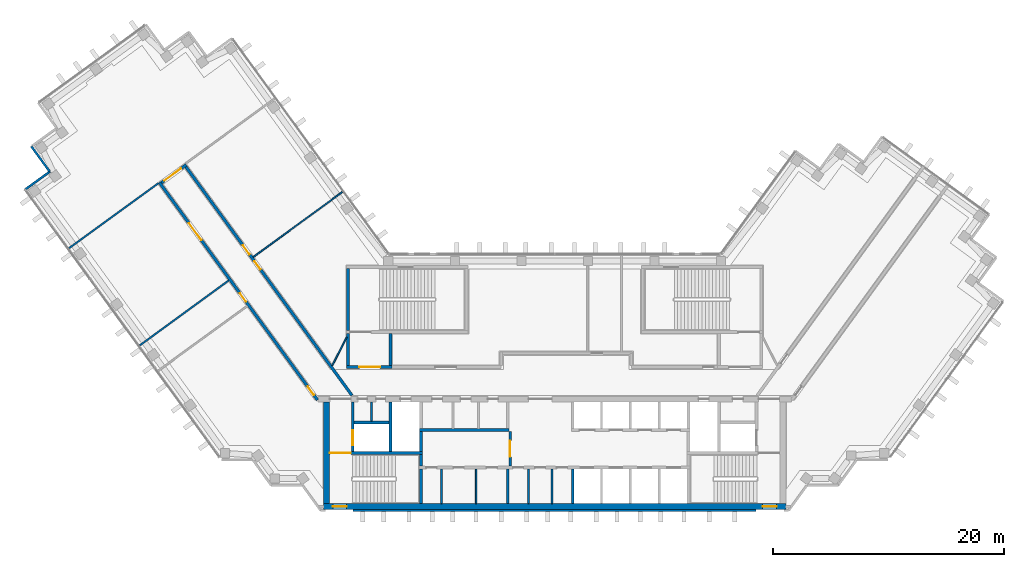
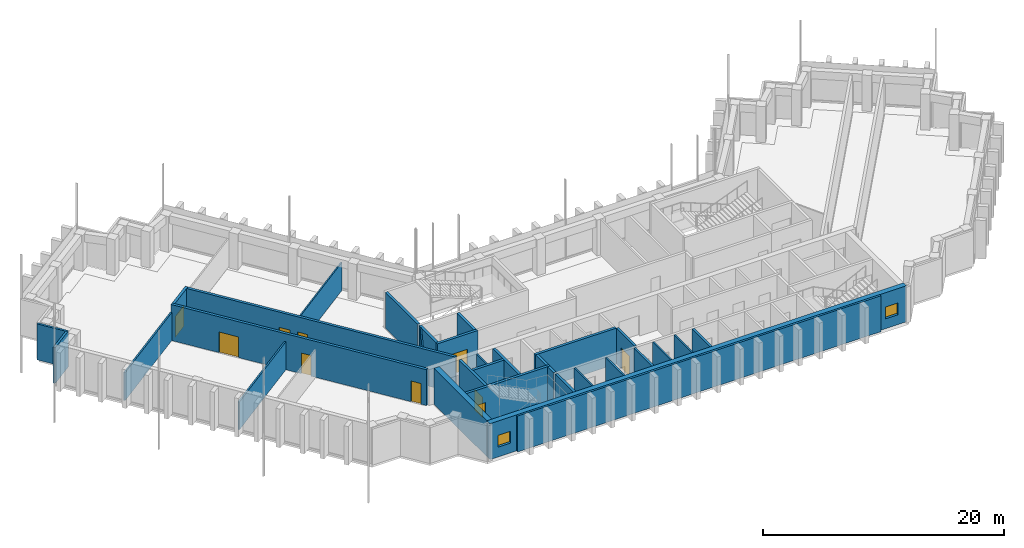
# One storey, part 7 of 12: 32 walls, 10 doors, 2 windows, 12 openings.
"""IFC4 building model written with IfcOpenShell, lengths in metres."""

import ifcopenshell
import ifcopenshell.guid

model = None  # the IFC model being written
_history = None  # IfcOwnerHistory: only IFC2X3 demands one
_inside = {}  # id of a spatial element -> (the spatial element, [elements in it])
_under = {}  # id of a project, library or spatial element -> (it, [spatial elements below it])
_declared = {}  # id of a project -> (the project, [libraries it declares])
_typed = {}  # id of a type object -> (the type object, [elements of that type])
_made_of = {}  # id of a material, layer set ... -> (it, [elements and type objects made of it])


def new_model(schema):
    """Start an empty IFC model of exactly this schema.

    Asked for "IFC4X3", IfcOpenShell would pick the latest addendum, in which some entities
    have other attributes; the version numbers below select the first issue.
    IFC2X3 requires an IfcOwnerHistory on every rooted entity: one is made here for all.
    """
    global model, _history
    if schema == "IFC4X3":
        model = ifcopenshell.file(schema_version=(4, 3, 0, 0))
    else:
        model = ifcopenshell.file(schema=schema)
    _inside.clear()
    _under.clear()
    _declared.clear()
    _typed.clear()
    _made_of.clear()
    _history = None
    if model.schema == "IFC2X3":
        org = make("IfcOrganization", Name="unknown")
        user = make(
            "IfcPersonAndOrganization",
            ThePerson=make("IfcPerson", FamilyName="unknown"),
            TheOrganization=org,
        )
        app = make(
            "IfcApplication",
            ApplicationDeveloper=org,
            Version="unknown",
            ApplicationFullName="unknown",
            ApplicationIdentifier="unknown",
        )
        _history = make(
            "IfcOwnerHistory",
            OwningUser=user,
            OwningApplication=app,
            ChangeAction="ADDED",
            CreationDate=0,
        )
    return model


def make(cls, **values):
    """One entity of the class cls with the attributes given. An attribute that is None is left unset."""
    return model.create_entity(
        cls, **{name: value for name, value in values.items() if value is not None}
    )


def rooted(cls, **values):
    """An entity with a GlobalId (a new one), such as an element, a storey or a relation."""
    return make(cls, GlobalId=ifcopenshell.guid.new(), OwnerHistory=_history, **values)


def si_unit(unit_type, name, prefix=None):
    """IfcSIUnit, for example si_unit("LENGTHUNIT", "METRE", prefix="MILLI")."""
    return make("IfcSIUnit", UnitType=unit_type, Prefix=prefix, Name=name)


def assignment(units):
    """IfcUnitAssignment: the units of a project."""
    return None if units is None else make("IfcUnitAssignment", Units=units)


def point(xyz):
    """IfcCartesianPoint."""
    return None if xyz is None else make("IfcCartesianPoint", Coordinates=xyz)


def direction(xyz):
    """IfcDirection."""
    return None if xyz is None else make("IfcDirection", DirectionRatios=xyz)


def frame(location, z_axis=None, x_axis=None):
    """IfcAxis2Placement3D, a coordinate frame: its origin and axes. An axis left out is left unset."""
    return make(
        "IfcAxis2Placement3D",
        Location=point(location),
        Axis=direction(z_axis),
        RefDirection=direction(x_axis),
    )


def frame_2d(location, x_axis=None):
    """IfcAxis2Placement2D, a coordinate frame in the plane: its origin and x axis."""
    return make(
        "IfcAxis2Placement2D", Location=point(location), RefDirection=direction(x_axis)
    )


def origin():
    """The frame at (0, 0, 0) with its axes left unset."""
    return frame((0.0, 0.0, 0.0))


def place(relative_to, where):
    """IfcLocalPlacement: puts the frame where relative to a parent placement (None: the world)."""
    return make(
        "IfcLocalPlacement", PlacementRelTo=relative_to, RelativePlacement=where
    )


def context(
    kind, dimensions, precision=None, world=None, true_north=None, identifier=None
):
    """IfcGeometricRepresentationContext, for example the 3D "Model" context."""
    return make(
        "IfcGeometricRepresentationContext",
        ContextIdentifier=identifier,
        ContextType=kind,
        CoordinateSpaceDimension=dimensions,
        Precision=precision,
        WorldCoordinateSystem=world,
        TrueNorth=true_north,
    )


def subcontext(parent, identifier, kind, view, scale=None):
    """IfcGeometricRepresentationSubContext, for example "Body" below "Model"."""
    return make(
        "IfcGeometricRepresentationSubContext",
        ContextIdentifier=identifier,
        ContextType=kind,
        ParentContext=parent,
        TargetScale=scale,
        TargetView=view,
    )


def project(units=None, contexts=None):
    """IfcProject with its units and contexts."""
    return rooted(
        "IfcProject",
        Name="project",
        RepresentationContexts=contexts,
        UnitsInContext=assignment(units),
    )


def spatial(cls, under=None, at=None, **own):
    """A site, building, storey or space (cls), placed at a placement, below another one or the project."""
    s = rooted(cls, ObjectPlacement=at, **own)
    if under is not None:
        _under.setdefault(under.id(), (under, []))[1].append(s)
    return s


def profile(cls, at=None, kind="AREA", **sizes):
    """A parametric profile (cls). Its sizes go by their IFC names, for example OverallWidth=200.0."""
    return make(cls, ProfileType=kind, Position=at, **sizes)


def rectangle(**sizes):
    """IfcRectangleProfileDef."""
    return profile("IfcRectangleProfileDef", **sizes)


def extrude(swept, where, along, depth):
    """IfcExtrudedAreaSolid: the profile swept, set in the frame where, extruded along a direction by depth."""
    return make(
        "IfcExtrudedAreaSolid",
        SweptArea=swept,
        Position=where,
        ExtrudedDirection=direction(along),
        Depth=depth,
    )


def shape(context_of_items, identifier, shape_type, items):
    """IfcShapeRepresentation: the items that make up one representation, for example the "Body"."""
    return make(
        "IfcShapeRepresentation",
        ContextOfItems=context_of_items,
        RepresentationIdentifier=identifier,
        RepresentationType=shape_type,
        Items=items,
    )


def material(Name=None, Category=None):
    """IfcMaterial."""
    return make("IfcMaterial", Name=Name, Category=Category)


def layer(
    of_material, thickness, ventilated=None, Name=None, Category=None, Priority=None
):
    """IfcMaterialLayer: one layer of a wall or slab, of a material (None: an air gap)."""
    return make(
        "IfcMaterialLayer",
        Material=of_material,
        LayerThickness=thickness,
        IsVentilated=ventilated,
        Name=Name,
        Category=Category,
        Priority=Priority,
    )


def layer_set(layers, Name=None):
    """IfcMaterialLayerSet."""
    return make("IfcMaterialLayerSet", MaterialLayers=layers, LayerSetName=Name)


def made_of(thing, what):
    """Note that an element or type object is made of a material, layer set ...; save() writes the relation."""
    if what is not None:
        _made_of.setdefault(what.id(), (what, []))[1].append(thing)
    return thing


def type_object(cls, material=None, **own):
    """A type object (cls), such as IfcWallType, which elements share."""
    return made_of(rooted(cls, **own), material)


def element(
    cls,
    number,
    at=None,
    inside=None,
    cuts=None,
    type_object=None,
    material=None,
    context=None,
    identifier="Body",
    shape_type=None,
    held_by="IfcProductDefinitionShape",
    body=None,
    shapes=None,
    **own,
):
    """One element of the class cls, such as IfcWall. Its Tag is "e" and its number.

    at: its placement. inside: the storey or other place that contains it. cuts: it is an
    opening in that element (IfcRelVoidsElement). A single representation is given by context,
    identifier, shape_type and body (its items); several are given by shapes. held_by: the class
    of the entity that holds the representations. save() writes the other relations.
    """
    e = rooted(cls, Tag="e%d" % number, ObjectPlacement=at, **own)
    if body is not None:
        shapes = [shape(context, identifier, shape_type, body)]
    if shapes is not None:
        e.Representation = make(held_by, Representations=shapes)
    if inside is not None:
        _inside.setdefault(inside.id(), (inside, []))[1].append(e)
    if cuts is not None:
        rooted(
            "IfcRelVoidsElement", RelatingBuildingElement=cuts, RelatedOpeningElement=e
        )
    if type_object is not None:
        _typed.setdefault(type_object.id(), (type_object, []))[1].append(e)
    return made_of(e, material)


def fill(opening, filler):
    """IfcRelFillsElement: the door or window that sits in an opening."""
    return rooted(
        "IfcRelFillsElement",
        RelatingOpeningElement=opening,
        RelatedBuildingElement=filler,
    )


def aggregate(whole, parts):
    """IfcRelAggregates: a whole, such as a stair, and the parts it consists of."""
    return rooted("IfcRelAggregates", RelatingObject=whole, RelatedObjects=parts)


def save(model, path):
    """Write the relations noted so far, then the file.

    IfcRelAggregates (storeys below a building ...), IfcRelContainedInSpatialStructure (elements
    in a storey), IfcRelDefinesByType, IfcRelAssociatesMaterial and IfcRelDeclares: one each for
    every whole, place, type object, material and project.
    """
    for whole, parts in _under.values():
        aggregate(whole, parts)
    for where, things in _inside.values():
        rooted(
            "IfcRelContainedInSpatialStructure",
            RelatedElements=things,
            RelatingStructure=where,
        )
    for kind, things in _typed.values():
        rooted("IfcRelDefinesByType", RelatedObjects=things, RelatingType=kind)
    for what, things in _made_of.values():
        rooted("IfcRelAssociatesMaterial", RelatedObjects=things, RelatingMaterial=what)
    for by, libraries in _declared.values():
        rooted("IfcRelDeclares", RelatingContext=by, RelatedDefinitions=libraries)
    model.write(path)


model = new_model("IFC4")

# Units and contexts
model_context = context("Model", 3, precision=1e-05, world=origin(), true_north=direction((0.0, 1.0)))
body_context = subcontext(model_context, "Body", "Model", "MODEL_VIEW")
ifc_project = project(units=[si_unit("LENGTHUNIT", "METRE"), si_unit("AREAUNIT", "SQUARE_METRE"), si_unit("VOLUMEUNIT", "CUBIC_METRE"), si_unit("PLANEANGLEUNIT", "RADIAN"), si_unit("MASSUNIT", "GRAM", prefix="KILO")], contexts=[model_context])

# Site, building, storey
site_placement = place(None, origin())
site = spatial("IfcSite", under=ifc_project, at=site_placement, CompositionType="ELEMENT")
building_placement = place(site_placement, origin())
building = spatial("IfcBuilding", under=site, at=building_placement, Name="Quipu Civic Tower", CompositionType="ELEMENT")
storey_placement = place(building_placement, frame((0.0, 0.0, 222.0)))
storey = spatial("IfcBuildingStorey", under=building, at=storey_placement, Name="L52", CompositionType="ELEMENT", Elevation=222.0)

# Walls
ifc_material_1 = material(Name="Double gypsum plasterboard with mineral wool")
ifc_layer_1 = layer(ifc_material_1, 0.14990234375)
ifc_layer_set_1 = layer_set([ifc_layer_1], Name="Double gypsum plasterboard with mineral wool")
wall_type_1 = type_object("IfcWallType", Name="Acoustic partition 150 plasterboard", PredefinedType="PARTITIONING", material=ifc_layer_set_1)
wall_1_placement = place(storey_placement, frame((-42.035888671875, 11.615478515625, 0.0), z_axis=(0.0, 0.0, 1.0), x_axis=(0.808985331811, 0.587828829605, 0.0)))
element("IfcWall", 1, at=wall_1_placement, inside=storey, type_object=wall_type_1, Name="Partition P01", PredefinedType="PARTITIONING", context=body_context, shape_type="SweptSolid", body=[
    extrude(rectangle(XDim=9.56982421875, YDim=0.14990234375, at=frame_2d((4.784912109375, 0.0))), origin(), (0.0, 0.0, 1.0), 2.85009765625),
])
wall_2_placement = place(storey_placement, frame((-35.919189453125, 3.196533203125, 0.0), z_axis=(0.0, 0.0, 1.0), x_axis=(0.807645841498, 0.589667868135, 0.0)))
element("IfcWall", 2, at=wall_2_placement, inside=storey, type_object=wall_type_1, Name="Partition P05", PredefinedType="PARTITIONING", context=body_context, shape_type="SweptSolid", body=[
    extrude(rectangle(XDim=9.550537109375, YDim=0.14990234375, at=frame_2d((4.775390625, 0.0))), origin(), (0.0, 0.0, 1.0), 2.85009765625),
])
ifc_material_2 = material(Name="Concrete C70/85", Category="concrete")
ifc_layer_2 = layer(ifc_material_2, 0.25)
ifc_layer_set_2 = layer_set([ifc_layer_2], Name="Concrete C70/85")
wall_type_2 = type_object("IfcWallType", Name="Core wall 250", PredefinedType="SHEAR", material=ifc_layer_set_2)
wall_3_placement = place(storey_placement, frame((-11.574951171875, -10.5, 0.0), z_axis=(0.0, 0.0, 1.0), x_axis=(0.0, 1.0, 0.0)))
element("IfcWall", 3, at=wall_3_placement, inside=storey, type_object=wall_type_2, Name="Core wall", PredefinedType="SHEAR", context=body_context, shape_type="SweptSolid", body=[
    extrude(rectangle(XDim=3.0, YDim=0.25, at=frame_2d((1.5, 0.0))), origin(), (0.0, 0.0, 1.0), 3.64990234375),
])
wall_4_placement = place(storey_placement, frame((-11.574951171875, -7.25, 0.0), z_axis=(0.0, 0.0, 1.0), x_axis=(0.0, 1.0, 0.0)))
element("IfcWall", 4, at=wall_4_placement, inside=storey, type_object=wall_type_2, Name="Core wall", PredefinedType="SHEAR", context=body_context, shape_type="SweptSolid", body=[
    extrude(rectangle(XDim=1.0, YDim=0.25, at=frame_2d((0.5, 0.0))), origin(), (0.0, 0.0, 1.0), 3.64990234375),
])

# Wall, opening, door
wall_5_placement = place(storey_placement, frame((-11.449951171875, -6.125, 0.0), z_axis=(0.0, 0.0, 1.0), x_axis=(-1.0, 0.0, 0.0)))
wall_5 = element("IfcWall", 5, at=wall_5_placement, inside=storey, type_object=wall_type_2, Name="Core wall", PredefinedType="SHEAR", context=body_context, shape_type="SweptSolid", body=[
    extrude(rectangle(XDim=8.050048828125, YDim=0.25, at=frame_2d((4.02490234375, 0.0))), origin(), (0.0, 0.0, 1.0), 3.64990234375),
])
opening_1_placement = place(wall_5_placement, frame((6.199951171875, 0.0, 0.0)))
opening_1 = element("IfcOpeningElement", 6, at=opening_1_placement, cuts=wall_5, Name="Opening CD-07", PredefinedType="OPENING", context=body_context, shape_type="SweptSolid", body=[
    extrude(rectangle(XDim=1.800048828125, YDim=2.10009765625, at=frame_2d((0.89990234375, 1.050048828125))), frame((0.0, 0.135009765625, 0.0), z_axis=(0.0, -1.0, 0.0), x_axis=(1.0, 0.0, 0.0)), (0.0, 0.0, 1.0), 0.27001953125),
])
ifc_material_3 = material(Name="Fire rated steel door", Category="steel")
door_type_1 = type_object("IfcDoorType", Name="Fire door FD90 double 1800 x 2100", OperationType="NOTDEFINED", PredefinedType="DOOR", material=ifc_material_3)
door_1_placement = place(opening_1_placement, origin())
door_1 = element("IfcDoor", 7, at=door_1_placement, inside=storey, type_object=door_type_1, Name="Door", OperationType="DOUBLE_DOOR_SINGLE_SWING", OverallHeight=2.10009765625, OverallWidth=1.800048828125, PredefinedType="DOOR", context=body_context, shape_type="SweptSolid", body=[
    extrude(rectangle(XDim=1.800048828125, YDim=2.10009765625, at=frame_2d((0.89990234375, 1.050048828125))), frame((0.0, 0.02490234375, 0.0), z_axis=(0.0, -1.0, 0.0), x_axis=(1.0, 0.0, 0.0)), (0.0, 0.0, 1.0), 0.050048828125),
])
fill(opening_1, door_1)

wall_6_placement = place(storey_placement, frame((-17.47509765625, -6.0, 0.0), z_axis=(0.0, 0.0, 1.0), x_axis=(0.0, 1.0, 0.0)))
wall_6 = element("IfcWall", 8, at=wall_6_placement, inside=storey, type_object=wall_type_2, Name="Core wall", PredefinedType="SHEAR", context=body_context, shape_type="SweptSolid", body=[
    extrude(rectangle(XDim=4.300048828125, YDim=0.25, at=frame_2d((2.14990234375, 0.0))), origin(), (0.0, 0.0, 1.0), 3.64990234375),
])
opening_2_placement = place(wall_6_placement, frame((0.550048828125, 0.0, 0.0)))
opening_2 = element("IfcOpeningElement", 9, at=opening_2_placement, cuts=wall_6, Name="Opening LD-FF1", PredefinedType="OPENING", context=body_context, shape_type="SweptSolid", body=[
    extrude(rectangle(XDim=1.300048828125, YDim=2.10009765625, at=frame_2d((0.64990234375, 1.050048828125))), frame((0.0, 0.135009765625, 0.0), z_axis=(0.0, -1.0, 0.0), x_axis=(1.0, 0.0, 0.0)), (0.0, 0.0, 1.0), 0.27001953125),
])
ifc_material_4 = material(Name="Stainless steel", Category="steel")
door_type_2 = type_object("IfcDoorType", Name="Lift landing door 1300 x 2100", OperationType="DOUBLE_DOOR_SLIDING", PredefinedType="DOOR", material=ifc_material_4)
door_2_placement = place(opening_2_placement, origin())
door_2 = element("IfcDoor", 10, at=door_2_placement, inside=storey, type_object=door_type_2, Name="Landing door FF1", OperationType="DOUBLE_DOOR_SLIDING", OverallHeight=2.10009765625, OverallWidth=1.300048828125, PredefinedType="DOOR", context=body_context, shape_type="SweptSolid", body=[
    extrude(rectangle(XDim=1.300048828125, YDim=2.10009765625, at=frame_2d((0.64990234375, 1.050048828125))), frame((0.0, 0.02490234375, 0.0), z_axis=(0.0, -1.0, 0.0), x_axis=(1.0, 0.0, 0.0)), (0.0, 0.0, 1.0), 0.050048828125),
])
fill(opening_2, door_2)

# Walls
wall_7_placement = place(storey_placement, frame((-14.22509765625, -6.0, 0.0), z_axis=(0.0, 0.0, 1.0), x_axis=(0.0, 1.0, 0.0)))
element("IfcWall", 11, at=wall_7_placement, inside=storey, type_object=wall_type_2, Name="Core wall", PredefinedType="SHEAR", context=body_context, shape_type="SweptSolid", body=[
    extrude(rectangle(XDim=4.300048828125, YDim=0.25, at=frame_2d((2.14990234375, 0.0))), origin(), (0.0, 0.0, 1.0), 3.64990234375),
])
wall_8_placement = place(storey_placement, frame((-11.574951171875, -6.0, 0.0), z_axis=(0.0, 0.0, 1.0), x_axis=(0.0, 1.0, 0.0)))
element("IfcWall", 12, at=wall_8_placement, inside=storey, type_object=wall_type_2, Name="Core wall", PredefinedType="SHEAR", context=body_context, shape_type="SweptSolid", body=[
    extrude(rectangle(XDim=1.75, YDim=0.25, at=frame_2d((0.875, 0.0))), origin(), (0.0, 0.0, 1.0), 3.64990234375),
])
wall_9_placement = place(storey_placement, frame((-11.699951171875, -4.125, 0.0), z_axis=(0.0, 0.0, 1.0), x_axis=(1.0, 0.0, 0.0)))
element("IfcWall", 13, at=wall_9_placement, inside=storey, type_object=wall_type_2, Name="Core wall", PredefinedType="SHEAR", context=body_context, shape_type="SweptSolid", body=[
    extrude(rectangle(XDim=7.75, YDim=0.25, at=frame_2d((3.875, 0.0))), origin(), (0.0, 0.0, 1.0), 3.64990234375),
])
wall_10_placement = place(storey_placement, frame((-17.35009765625, -3.47509765625, 0.0), z_axis=(0.0, 0.0, 1.0), x_axis=(1.0, 0.0, 0.0)))
element("IfcWall", 14, at=wall_10_placement, inside=storey, type_object=wall_type_2, Name="Core wall", PredefinedType="SHEAR", context=body_context, shape_type="SweptSolid", body=[
    extrude(rectangle(XDim=3.0, YDim=0.25, at=frame_2d((1.5, 0.0))), origin(), (0.0, 0.0, 1.0), 3.64990234375),
])

# Wall, opening, door
wall_11_placement = place(storey_placement, frame((-18.0, 1.324951171875, 0.0), z_axis=(0.0, 0.0, 1.0), x_axis=(1.0, 0.0, 0.0)))
wall_11 = element("IfcWall", 15, at=wall_11_placement, inside=storey, type_object=wall_type_2, Name="Core wall", PredefinedType="SHEAR", context=body_context, shape_type="SweptSolid", body=[
    extrude(rectangle(XDim=3.89990234375, YDim=0.25, at=frame_2d((1.949951171875, 0.0))), origin(), (0.0, 0.0, 1.0), 3.64990234375),
])
opening_3_placement = place(wall_11_placement, frame((1.10009765625, 0.0, 0.0)))
opening_3 = element("IfcOpeningElement", 16, at=opening_3_placement, cuts=wall_11, Name="Opening CD-21", PredefinedType="OPENING", context=body_context, shape_type="SweptSolid", body=[
    extrude(rectangle(XDim=1.800048828125, YDim=2.10009765625, at=frame_2d((0.89990234375, 1.050048828125))), frame((0.0, 0.135009765625, 0.0), z_axis=(0.0, -1.0, 0.0), x_axis=(1.0, 0.0, 0.0)), (0.0, 0.0, 1.0), 0.27001953125),
])
door_3_placement = place(opening_3_placement, origin())
door_3 = element("IfcDoor", 17, at=door_3_placement, inside=storey, type_object=door_type_1, Name="Lobby door", OperationType="DOUBLE_DOOR_SINGLE_SWING", OverallHeight=2.10009765625, OverallWidth=1.800048828125, PredefinedType="DOOR", context=body_context, shape_type="SweptSolid", body=[
    extrude(rectangle(XDim=1.800048828125, YDim=2.10009765625, at=frame_2d((0.89990234375, 1.050048828125))), frame((0.0, 0.02490234375, 0.0), z_axis=(0.0, -1.0, 0.0), x_axis=(1.0, 0.0, 0.0)), (0.0, 0.0, 1.0), 0.050048828125),
])
fill(opening_3, door_3)

# Walls
for number, where, z_axis, x_axis, name in (
    (18, (-17.875, 1.449951171875, 0.0), (0.0, 0.0, 1.0), (0.0, 1.0, 0.0), "Core wall"),
    (19, (-14.22509765625, 1.449951171875, 0.0), (0.0, 0.0, 1.0), (0.0, 1.0, 0.0), "Core wall"),
):
    element("IfcWall", number, at=place(storey_placement, frame(where, z_axis=z_axis, x_axis=x_axis)), inside=storey, type_object=wall_type_2, Name=name, PredefinedType="SHEAR", context=body_context, shape_type="SweptSolid", body=[
        extrude(rectangle(XDim=2.800048828125, YDim=0.25, at=frame_2d((1.39990234375, 0.0))), origin(), (0.0, 0.0, 1.0), 3.64990234375),
    ])
wall_12_placement = place(storey_placement, frame((-17.875, 4.5, 0.0), z_axis=(0.0, 0.0, 1.0), x_axis=(0.0, 1.0, 0.0)))
element("IfcWall", 20, at=wall_12_placement, inside=storey, type_object=wall_type_2, Name="Core wall", PredefinedType="SHEAR", context=body_context, shape_type="SweptSolid", body=[
    extrude(rectangle(XDim=5.35009765625, YDim=0.25, at=frame_2d((2.675048828125, 0.0))), origin(), (0.0, 0.0, 1.0), 3.64990234375),
])

# Wall, openings, windows
ifc_material_5 = material(Name="Concrete C70/85", Category="concrete")
ifc_layer_3 = layer(ifc_material_5, 0.5)
ifc_layer_set_3 = layer_set([ifc_layer_3], Name="Concrete C70/85")
wall_type_3 = type_object("IfcWallType", Name="Core wall 500", PredefinedType="SHEAR", material=ifc_layer_set_3)
wall_13_placement = place(storey_placement, frame((-20.0, -10.75, 0.0), z_axis=(0.0, 0.0, 1.0), x_axis=(1.0, 0.0, 0.0)))
wall_13 = element("IfcWall", 21, at=wall_13_placement, inside=storey, type_object=wall_type_3, Name="Core wall", PredefinedType="SHEAR", context=body_context, shape_type="SweptSolid", body=[
    extrude(rectangle(XDim=40.0, YDim=0.5, at=frame_2d((20.0, 0.0))), origin(), (0.0, 0.0, 1.0), 3.64990234375),
])
opening_4_placement = place(wall_13_placement, frame((0.800048828125, 0.0, 1.0)))
opening_4 = element("IfcOpeningElement", 22, at=opening_4_placement, cuts=wall_13, Name="Opening SV-1", PredefinedType="OPENING", context=body_context, shape_type="SweptSolid", body=[
    extrude(rectangle(XDim=1.199951171875, YDim=1.199951171875, at=frame_2d((0.60009765625, 0.60009765625))), frame((0.0, 0.260009765625, 0.0), z_axis=(0.0, -1.0, 0.0), x_axis=(1.0, 0.0, 0.0)), (0.0, 0.0, 1.0), 0.52001953125),
])
opening_5_placement = place(wall_13_placement, frame((38.0, 0.0, 1.0)))
opening_5 = element("IfcOpeningElement", 23, at=opening_5_placement, cuts=wall_13, Name="Opening SV-2", PredefinedType="OPENING", context=body_context, shape_type="SweptSolid", body=[
    extrude(rectangle(XDim=1.199951171875, YDim=1.199951171875, at=frame_2d((0.60009765625, 0.60009765625))), frame((0.0, 0.260009765625, 0.0), z_axis=(0.0, -1.0, 0.0), x_axis=(1.0, 0.0, 0.0)), (0.0, 0.0, 1.0), 0.52001953125),
])
ifc_material_6 = material(Name="Aluminium louvre", Category="aluminium")
window_type = type_object("IfcWindowType", Name="Stair ventilation louvre 1200 x 1200", PartitioningType="SINGLE_PANEL", PredefinedType="WINDOW", material=ifc_material_6)
window_1_placement = place(opening_4_placement, origin())
window_1 = element("IfcWindow", 24, at=window_1_placement, inside=storey, type_object=window_type, Name="Stair ventilation opening", OverallHeight=1.199951171875, OverallWidth=1.199951171875, PartitioningType="SINGLE_PANEL", PredefinedType="WINDOW", context=body_context, shape_type="SweptSolid", body=[
    extrude(rectangle(XDim=1.199951171875, YDim=1.199951171875, at=frame_2d((0.60009765625, 0.60009765625))), frame((0.0, 0.030029296875, 0.0), z_axis=(0.0, -1.0, 0.0), x_axis=(1.0, 0.0, 0.0)), (0.0, 0.0, 1.0), 0.06005859375),
])
fill(opening_4, window_1)
window_2_placement = place(opening_5_placement, origin())
window_2 = element("IfcWindow", 25, at=window_2_placement, inside=storey, type_object=window_type, Name="Stair ventilation opening", OverallHeight=1.199951171875, OverallWidth=1.199951171875, PartitioningType="SINGLE_PANEL", PredefinedType="WINDOW", context=body_context, shape_type="SweptSolid", body=[
    extrude(rectangle(XDim=1.199951171875, YDim=1.199951171875, at=frame_2d((0.60009765625, 0.60009765625))), frame((0.0, 0.030029296875, 0.0), z_axis=(0.0, -1.0, 0.0), x_axis=(1.0, 0.0, 0.0)), (0.0, 0.0, 1.0), 0.06005859375),
])
fill(opening_5, window_2)

# Wall
wall_14_placement = place(storey_placement, frame((-19.75, -10.5, 0.0), z_axis=(0.0, 0.0, 1.0), x_axis=(0.0, 1.0, 0.0)))
element("IfcWall", 26, at=wall_14_placement, inside=storey, type_object=wall_type_3, Name="Core wall", PredefinedType="SHEAR", context=body_context, shape_type="SweptSolid", body=[
    extrude(rectangle(XDim=8.800048828125, YDim=0.5, at=frame_2d((4.39990234375, 0.0))), origin(), (0.0, 0.0, 1.0), 3.64990234375),
])

# Wall, openings, doors
ifc_material_7 = material(Name="Concrete C50/60", Category="concrete")
ifc_layer_4 = layer(ifc_material_7, 0.25)
ifc_layer_set_4 = layer_set([ifc_layer_4], Name="Concrete C50/60")
wall_type_4 = type_object("IfcWallType", Name="Corridor wall 250 concrete", PredefinedType="SOLIDWALL", material=ifc_layer_set_4)
wall_15_placement = place(storey_placement, frame((-20.531005859375, -1.5234375, 0.0), z_axis=(0.0, 0.0, 1.0), x_axis=(-0.587784239999, 0.809017729849, 0.0)))
wall_15 = element("IfcWall", 27, at=wall_15_placement, inside=storey, type_object=wall_type_4, Name="Corridor wall C04", PredefinedType="SOLIDWALL", context=body_context, shape_type="SweptSolid", body=[
    extrude(rectangle(XDim=23.2705078125, YDim=0.25, at=frame_2d((11.63525390625, 0.0))), origin(), (0.0, 0.0, 1.0), 3.64990234375),
])
opening_6_placement = place(wall_15_placement, frame((0.53271484375, 0.0, 0.0)))
opening_6 = element("IfcOpeningElement", 28, at=opening_6_placement, cuts=wall_15, Name="Opening D010", PredefinedType="OPENING", context=body_context, shape_type="SweptSolid", body=[
    extrude(rectangle(XDim=0.89990234375, YDim=2.10009765625, at=frame_2d((0.449951171875, 1.050048828125))), frame((0.0, 0.135009765625, 0.0), z_axis=(0.0, -1.0, 0.0), x_axis=(1.0, 0.0, 0.0)), (0.0, 0.0, 1.0), 0.27001953125),
])
opening_7_placement = place(wall_15_placement, frame((17.10595703125, 0.0, 0.0)))
opening_7 = element("IfcOpeningElement", 29, at=opening_7_placement, cuts=wall_15, Name="Opening D008", PredefinedType="OPENING", context=body_context, shape_type="SweptSolid", body=[
    extrude(rectangle(XDim=1.800048828125, YDim=2.10009765625, at=frame_2d((0.89990234375, 1.050048828125))), frame((0.0, 0.135009765625, 0.0), z_axis=(0.0, -1.0, 0.0), x_axis=(1.0, 0.0, 0.0)), (0.0, 0.0, 1.0), 0.27001953125),
])
opening_8_placement = place(wall_15_placement, frame((10.515625, 0.0, 0.0)))
opening_8 = element("IfcOpeningElement", 30, at=opening_8_placement, cuts=wall_15, Name="Opening D009", PredefinedType="OPENING", context=body_context, shape_type="SweptSolid", body=[
    extrude(rectangle(XDim=0.89990234375, YDim=2.10009765625, at=frame_2d((0.449951171875, 1.050048828125))), frame((0.0, 0.135009765625, 0.0), z_axis=(0.0, -1.0, 0.0), x_axis=(1.0, 0.0, 0.0)), (0.0, 0.0, 1.0), 0.27001953125),
])
ifc_material_8 = material(Name="Fire rated timber door set with metal frame", Category="wood")
door_type_3 = type_object("IfcDoorType", Name="Double door 1800 x 2100 FD60", OperationType="DOUBLE_DOOR_SINGLE_SWING", PredefinedType="DOOR", material=ifc_material_8)
door_4_placement = place(opening_7_placement, origin())
door_4 = element("IfcDoor", 31, at=door_4_placement, inside=storey, type_object=door_type_3, Name="Door D008", OperationType="DOUBLE_DOOR_SINGLE_SWING", OverallHeight=2.10009765625, OverallWidth=1.800048828125, PredefinedType="DOOR", context=body_context, shape_type="SweptSolid", body=[
    extrude(rectangle(XDim=1.800048828125, YDim=2.10009765625, at=frame_2d((0.89990234375, 1.050048828125))), frame((0.0, 0.02490234375, 0.0), z_axis=(0.0, -1.0, 0.0), x_axis=(1.0, 0.0, 0.0)), (0.0, 0.0, 1.0), 0.050048828125),
])
fill(opening_7, door_4)
ifc_material_9 = material(Name="Fire rated timber door set with metal frame", Category="wood")
door_type_4 = type_object("IfcDoorType", Name="Single door 900 x 2100 FD60", OperationType="NOTDEFINED", PredefinedType="DOOR", material=ifc_material_9)
door_5_placement = place(opening_6_placement, origin())
door_5 = element("IfcDoor", 32, at=door_5_placement, inside=storey, type_object=door_type_4, Name="Door D010", OperationType="SINGLE_SWING_LEFT", OverallHeight=2.10009765625, OverallWidth=0.89990234375, PredefinedType="DOOR", context=body_context, shape_type="SweptSolid", body=[
    extrude(rectangle(XDim=0.89990234375, YDim=2.10009765625, at=frame_2d((0.449951171875, 1.050048828125))), frame((0.0, 0.02490234375, 0.0), z_axis=(0.0, -1.0, 0.0), x_axis=(1.0, 0.0, 0.0)), (0.0, 0.0, 1.0), 0.050048828125),
])
fill(opening_6, door_5)
door_6_placement = place(opening_8_placement, origin())
door_6 = element("IfcDoor", 33, at=door_6_placement, inside=storey, type_object=door_type_4, Name="Door D009", OperationType="SINGLE_SWING_LEFT", OverallHeight=2.10009765625, OverallWidth=0.89990234375, PredefinedType="DOOR", context=body_context, shape_type="SweptSolid", body=[
    extrude(rectangle(XDim=0.89990234375, YDim=2.10009765625, at=frame_2d((0.449951171875, 1.050048828125))), frame((0.0, 0.02490234375, 0.0), z_axis=(0.0, -1.0, 0.0), x_axis=(1.0, 0.0, 0.0)), (0.0, 0.0, 1.0), 0.050048828125),
])
fill(opening_8, door_6)

# Wall, opening, door
wall_16_placement = place(storey_placement, frame((-34.0341796875, 17.275146484375, 0.0), z_axis=(0.0, 0.0, 1.0), x_axis=(0.809006914995, 0.587799125119, 0.0)))
wall_16 = element("IfcWall", 34, at=wall_16_placement, inside=storey, type_object=wall_type_4, Name="Corridor wall C05", PredefinedType="SOLIDWALL", context=body_context, shape_type="SweptSolid", body=[
    extrude(rectangle(XDim=2.64990234375, YDim=0.25, at=frame_2d((1.324951171875, 0.0))), origin(), (0.0, 0.0, 1.0), 3.64990234375),
])
opening_9_placement = place(wall_16_placement, frame((0.30029296875, 0.0, 0.0)))
opening_9 = element("IfcOpeningElement", 35, at=opening_9_placement, cuts=wall_16, Name="Opening D011", PredefinedType="OPENING", context=body_context, shape_type="SweptSolid", body=[
    extrude(rectangle(XDim=1.800048828125, YDim=2.10009765625, at=frame_2d((0.89990234375, 1.050048828125))), frame((0.0, 0.135009765625, 0.0), z_axis=(0.0, -1.0, 0.0), x_axis=(1.0, 0.0, 0.0)), (0.0, 0.0, 1.0), 0.27001953125),
])
door_7_placement = place(opening_9_placement, origin())
door_7 = element("IfcDoor", 36, at=door_7_placement, inside=storey, type_object=door_type_3, Name="Door D011", OperationType="DOUBLE_DOOR_SINGLE_SWING", OverallHeight=2.10009765625, OverallWidth=1.800048828125, PredefinedType="DOOR", context=body_context, shape_type="SweptSolid", body=[
    extrude(rectangle(XDim=1.800048828125, YDim=2.10009765625, at=frame_2d((0.89990234375, 1.050048828125))), frame((0.0, 0.02490234375, 0.0), z_axis=(0.0, -1.0, 0.0), x_axis=(1.0, 0.0, 0.0)), (0.0, 0.0, 1.0), 0.050048828125),
])
fill(opening_9, door_7)

# Wall, openings, doors
wall_17_placement = place(storey_placement, frame((-31.918212890625, 18.658203125, 0.0), z_axis=(0.0, 0.0, 1.0), x_axis=(0.587788731405, -0.80901446664, 0.0)))
wall_17 = element("IfcWall", 37, at=wall_17_placement, inside=storey, type_object=wall_type_4, Name="Corridor wall C06", PredefinedType="SOLIDWALL", context=body_context, shape_type="SweptSolid", body=[
    extrude(rectangle(XDim=24.453125, YDim=0.25, at=frame_2d((12.2265625, 0.0))), origin(), (0.0, 0.0, 1.0), 3.64990234375),
])
opening_10_placement = place(wall_17_placement, frame((8.39501953125, 0.0, 0.0)))
opening_10 = element("IfcOpeningElement", 38, at=opening_10_placement, cuts=wall_17, Name="Opening D006", PredefinedType="OPENING", context=body_context, shape_type="SweptSolid", body=[
    extrude(rectangle(XDim=1.0, YDim=2.10009765625, at=frame_2d((0.5, 1.050048828125))), frame((0.0, 0.135009765625, 0.0), z_axis=(0.0, -1.0, 0.0), x_axis=(1.0, 0.0, 0.0)), (0.0, 0.0, 1.0), 0.27001953125),
])
opening_11_placement = place(wall_17_placement, frame((10.09521484375, 0.0, 0.0)))
opening_11 = element("IfcOpeningElement", 39, at=opening_11_placement, cuts=wall_17, Name="Opening D007", PredefinedType="OPENING", context=body_context, shape_type="SweptSolid", body=[
    extrude(rectangle(XDim=0.89990234375, YDim=2.10009765625, at=frame_2d((0.449951171875, 1.050048828125))), frame((0.0, 0.135009765625, 0.0), z_axis=(0.0, -1.0, 0.0), x_axis=(1.0, 0.0, 0.0)), (0.0, 0.0, 1.0), 0.27001953125),
])
ifc_material_10 = material(Name="Fire rated timber door set with metal frame", Category="wood")
door_type_5 = type_object("IfcDoorType", Name="Single door 1000 x 2100 FD60", OperationType="NOTDEFINED", PredefinedType="DOOR", material=ifc_material_10)
door_8_placement = place(opening_10_placement, origin())
door_8 = element("IfcDoor", 40, at=door_8_placement, inside=storey, type_object=door_type_5, Name="Door D006", OperationType="SINGLE_SWING_RIGHT", OverallHeight=2.10009765625, OverallWidth=1.0, PredefinedType="DOOR", context=body_context, shape_type="SweptSolid", body=[
    extrude(rectangle(XDim=1.0, YDim=2.10009765625, at=frame_2d((0.5, 1.050048828125))), frame((0.0, 0.02490234375, 0.0), z_axis=(0.0, -1.0, 0.0), x_axis=(1.0, 0.0, 0.0)), (0.0, 0.0, 1.0), 0.050048828125),
])
fill(opening_10, door_8)
door_9_placement = place(opening_11_placement, origin())
door_9 = element("IfcDoor", 41, at=door_9_placement, inside=storey, type_object=door_type_4, Name="Door D007", OperationType="SINGLE_SWING_LEFT", OverallHeight=2.10009765625, OverallWidth=0.89990234375, PredefinedType="DOOR", context=body_context, shape_type="SweptSolid", body=[
    extrude(rectangle(XDim=0.89990234375, YDim=2.10009765625, at=frame_2d((0.449951171875, 1.050048828125))), frame((0.0, 0.02490234375, 0.0), z_axis=(0.0, -1.0, 0.0), x_axis=(1.0, 0.0, 0.0)), (0.0, 0.0, 1.0), 0.050048828125),
])
fill(opening_11, door_9)

# Walls
ifc_material_11 = material(Name="Gypsum plasterboard on light gauge framing")
ifc_layer_5 = layer(ifc_material_11, 0.1201171875)
ifc_layer_set_5 = layer_set([ifc_layer_5], Name="Gypsum plasterboard on light gauge framing")
wall_type_5 = type_object("IfcWallType", Name="Partition 120 plasterboard", PredefinedType="PARTITIONING", material=ifc_layer_set_5)
wall_18_placement = place(storey_placement, frame((-26.089111328125, 10.847900390625, 0.0), z_axis=(0.0, 0.0, 1.0), x_axis=(0.807661302092, 0.589646691759, 0.0)))
element("IfcWall", 42, at=wall_18_placement, inside=storey, type_object=wall_type_5, Name="Partition P06", PredefinedType="PARTITIONING", context=body_context, shape_type="SweptSolid", body=[
    extrude(rectangle(XDim=9.550048828125, YDim=0.1201171875, at=frame_2d((4.77490234375, 0.0))), origin(), (0.0, 0.0, 1.0), 2.85009765625),
])
wall_19_placement = place(storey_placement, frame((-19.260986328125, 1.449951171875, 0.0), z_axis=(0.0, 0.0, 1.0), x_axis=(0.453950796792, 0.891026752736, 0.0)))
element("IfcWall", 43, at=wall_19_placement, inside=storey, type_object=wall_type_5, Name="Partition P09", PredefinedType="PARTITIONING", context=body_context, shape_type="SweptSolid", body=[
    extrude(rectangle(XDim=2.77783203125, YDim=0.1201171875, at=frame_2d((1.388916015625, 0.0))), origin(), (0.0, 0.0, 1.0), 3.64990234375),
])
ifc_material_12 = material(Name="Gypsum board partition")
ifc_layer_6 = layer(ifc_material_12, 0.14990234375)
ifc_layer_set_6 = layer_set([ifc_layer_6], Name="Gypsum board partition")
wall_type_6 = type_object("IfcWallType", Name="Partition 150", PredefinedType="PARTITIONING", material=ifc_layer_set_6)
for number, where, z_axis, x_axis, name in (
    (44, (-9.800048828125, -10.5, 0.0), (0.0, 0.0, 1.0), (0.0, 1.0, 0.0), "Partition"),
    (45, (-6.800048828125, -10.5, 0.0), (0.0, 0.0, 1.0), (0.0, 1.0, 0.0), "Partition"),
    (46, (-2.27490234375, -10.5, 0.0), (0.0, 0.0, 1.0), (0.0, 1.0, 0.0), "Partition"),
    (47, (-0.22509765625, -10.5, 0.0), (0.0, 0.0, 1.0), (0.0, 1.0, 0.0), "Partition"),
):
    element("IfcWall", number, at=place(storey_placement, frame(where, z_axis=z_axis, x_axis=x_axis)), inside=storey, type_object=wall_type_6, Name=name, PredefinedType="PARTITIONING", context=body_context, shape_type="SweptSolid", body=[
        extrude(rectangle(XDim=3.0, YDim=0.14990234375, at=frame_2d((1.5, 0.0))), origin(), (0.0, 0.0, 1.0), 3.64990234375),
    ])
wall_20_placement = place(storey_placement, frame((-15.85009765625, -3.35009765625, 0.0), z_axis=(0.0, 0.0, 1.0), x_axis=(0.0, 1.0, 0.0)))
element("IfcWall", 48, at=wall_20_placement, inside=storey, type_object=wall_type_6, Name="Partition", PredefinedType="PARTITIONING", context=body_context, shape_type="SweptSolid", body=[
    extrude(rectangle(XDim=1.650146484375, YDim=0.14990234375, at=frame_2d((0.8251953125, 0.0))), origin(), (0.0, 0.0, 1.0), 3.64990234375),
])
ifc_material_13 = material(Name="Precast concrete C40/50", Category="concrete")
wall_type_7 = type_object("IfcWallType", Name="Precast cladding wall", PredefinedType="SOLIDWALL", material=ifc_material_13)
for number, where, z_axis, x_axis, name in (
    (49, (-45.29638671875, 20.43359375, 0.0), (0.0, 0.0, 1.0), (0.587762999008, -0.809033161865, 0.0), "Precast cladding wall L52 P12"),
    (50, (-43.658203125, 18.271728515625, 0.0), (0.0, 0.0, 1.0), (-0.808958916286, -0.58786518162, 0.0), "Precast cladding wall L52 P13"),
):
    element("IfcWall", number, at=place(storey_placement, frame(where, z_axis=z_axis, x_axis=x_axis)), inside=storey, type_object=wall_type_7, Name=name, PredefinedType="SOLIDWALL", context=body_context, shape_type="SweptSolid", body=[
        extrude(rectangle(XDim=2.699951171875, YDim=0.199951171875, at=frame_2d((1.35009765625, 0.0))), origin(), (0.0, 0.0, 1.0), 3.64990234375),
    ])
wall_21_placement = place(storey_placement, frame((-17.44384765625, -11.087890625, 0.0), z_axis=(0.0, 0.0, 1.0), x_axis=(1.0, 0.0, 0.0)))
element("IfcWall", 51, at=wall_21_placement, inside=storey, type_object=wall_type_7, Name="Precast cladding wall L52 P20", PredefinedType="SOLIDWALL", context=body_context, shape_type="SweptSolid", body=[
    extrude(rectangle(XDim=34.8876953125, YDim=0.199951171875, at=frame_2d((17.44384765625, 0.0))), origin(), (0.0, 0.0, 1.0), 3.64990234375),
])
ifc_material_14 = material(Name="Concrete C40/50", Category="concrete")
ifc_layer_7 = layer(ifc_material_14, 0.199951171875)
ifc_layer_set_7 = layer_set([ifc_layer_7], Name="Concrete C40/50")
wall_type_8 = type_object("IfcWallType", Name="Shaft wall 200", PredefinedType="SOLIDWALL", material=ifc_layer_set_7)
for number, where, z_axis, x_axis, name in (
    (52, (-4.050048828125, -10.5, 0.0), (0.0, 0.0, 1.0), (0.0, 1.0, 0.0), "Shaft wall"),
    (53, (1.550048828125, -10.5, 0.0), (0.0, 0.0, 1.0), (0.0, 1.0, 0.0), "Shaft wall"),
):
    element("IfcWall", number, at=place(storey_placement, frame(where, z_axis=z_axis, x_axis=x_axis)), inside=storey, type_object=wall_type_8, Name=name, PredefinedType="SOLIDWALL", context=body_context, shape_type="SweptSolid", body=[
        extrude(rectangle(XDim=3.0, YDim=0.199951171875, at=frame_2d((1.5, 0.0))), origin(), (0.0, 0.0, 1.0), 3.64990234375),
    ])

# Wall, opening, door
wall_22_placement = place(storey_placement, frame((-3.85009765625, -4.25, 0.0), z_axis=(0.0, 0.0, 1.0), x_axis=(0.0, -1.0, 0.0)))
wall_22 = element("IfcWall", 54, at=wall_22_placement, inside=storey, type_object=wall_type_8, Name="Shaft wall", PredefinedType="SOLIDWALL", context=body_context, shape_type="SweptSolid", body=[
    extrude(rectangle(XDim=3.0, YDim=0.199951171875, at=frame_2d((1.5, 0.0))), origin(), (0.0, 0.0, 1.0), 3.64990234375),
])
opening_12_placement = place(wall_22_placement, frame((0.800048828125, 0.0, 0.0)))
opening_12 = element("IfcOpeningElement", 55, at=opening_12_placement, cuts=wall_22, Name="Opening CD-09", PredefinedType="OPENING", context=body_context, shape_type="SweptSolid", body=[
    extrude(rectangle(XDim=1.39990234375, YDim=2.10009765625, at=frame_2d((0.699951171875, 1.050048828125))), frame((0.0, 0.10986328125, 0.0), z_axis=(0.0, -1.0, 0.0), x_axis=(1.0, 0.0, 0.0)), (0.0, 0.0, 1.0), 0.219970703125),
])
ifc_material_15 = material(Name="Fire rated steel door", Category="steel")
door_type_6 = type_object("IfcDoorType", Name="Fire door FD60 double 1400 x 2100", OperationType="NOTDEFINED", PredefinedType="DOOR", material=ifc_material_15)
door_10_placement = place(opening_12_placement, origin())
door_10 = element("IfcDoor", 56, at=door_10_placement, inside=storey, type_object=door_type_6, Name="Hall door", OperationType="DOUBLE_DOOR_SINGLE_SWING", OverallHeight=2.10009765625, OverallWidth=1.39990234375, PredefinedType="DOOR", context=body_context, shape_type="SweptSolid", body=[
    extrude(rectangle(XDim=1.39990234375, YDim=2.10009765625, at=frame_2d((0.699951171875, 1.050048828125))), frame((0.0, 0.02490234375, 0.0), z_axis=(0.0, -1.0, 0.0), x_axis=(1.0, 0.0, 0.0)), (0.0, 0.0, 1.0), 0.050048828125),
])
fill(opening_12, door_10)

save(model, "model.ifc")
